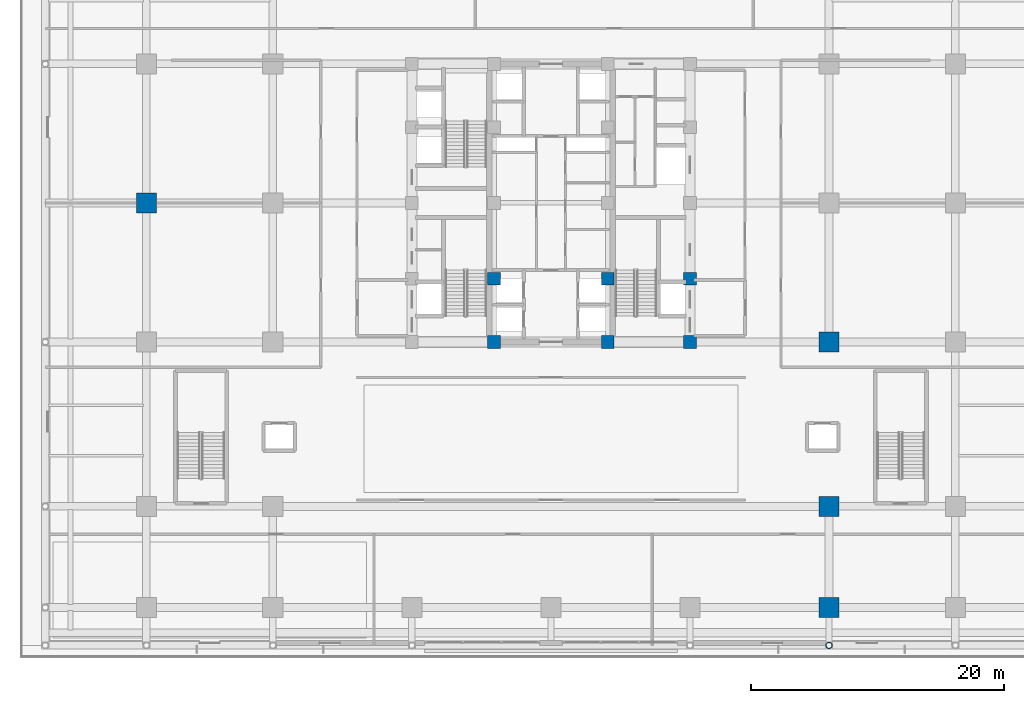
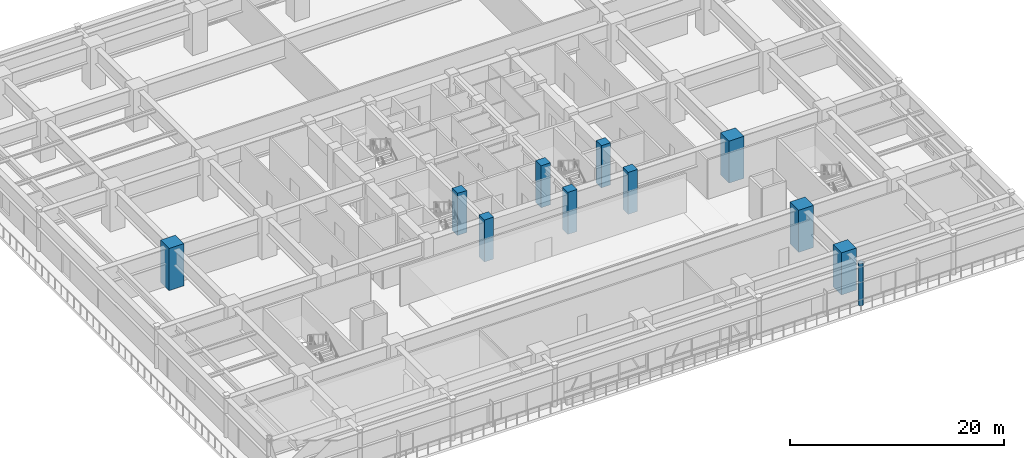
# One storey, part 2 of 38: 11 columns.
"""IFC4 building model written with IfcOpenShell, lengths in metres."""

import ifcopenshell
import ifcopenshell.guid

model = None  # the IFC model being written
_history = None  # IfcOwnerHistory: only IFC2X3 demands one
_inside = {}  # id of a spatial element -> (the spatial element, [elements in it])
_under = {}  # id of a project, library or spatial element -> (it, [spatial elements below it])
_declared = {}  # id of a project -> (the project, [libraries it declares])
_typed = {}  # id of a type object -> (the type object, [elements of that type])
_made_of = {}  # id of a material, layer set ... -> (it, [elements and type objects made of it])


def new_model(schema):
    """Start an empty IFC model of exactly this schema.

    Asked for "IFC4X3", IfcOpenShell would pick the latest addendum, in which some entities
    have other attributes; the version numbers below select the first issue.
    IFC2X3 requires an IfcOwnerHistory on every rooted entity: one is made here for all.
    """
    global model, _history
    if schema == "IFC4X3":
        model = ifcopenshell.file(schema_version=(4, 3, 0, 0))
    else:
        model = ifcopenshell.file(schema=schema)
    _inside.clear()
    _under.clear()
    _declared.clear()
    _typed.clear()
    _made_of.clear()
    _history = None
    if model.schema == "IFC2X3":
        org = make("IfcOrganization", Name="unknown")
        user = make(
            "IfcPersonAndOrganization",
            ThePerson=make("IfcPerson", FamilyName="unknown"),
            TheOrganization=org,
        )
        app = make(
            "IfcApplication",
            ApplicationDeveloper=org,
            Version="unknown",
            ApplicationFullName="unknown",
            ApplicationIdentifier="unknown",
        )
        _history = make(
            "IfcOwnerHistory",
            OwningUser=user,
            OwningApplication=app,
            ChangeAction="ADDED",
            CreationDate=0,
        )
    return model


def make(cls, **values):
    """One entity of the class cls with the attributes given. An attribute that is None is left unset."""
    return model.create_entity(
        cls, **{name: value for name, value in values.items() if value is not None}
    )


def rooted(cls, **values):
    """An entity with a GlobalId (a new one), such as an element, a storey or a relation."""
    return make(cls, GlobalId=ifcopenshell.guid.new(), OwnerHistory=_history, **values)


def si_unit(unit_type, name, prefix=None):
    """IfcSIUnit, for example si_unit("LENGTHUNIT", "METRE", prefix="MILLI")."""
    return make("IfcSIUnit", UnitType=unit_type, Prefix=prefix, Name=name)


def assignment(units):
    """IfcUnitAssignment: the units of a project."""
    return None if units is None else make("IfcUnitAssignment", Units=units)


def point(xyz):
    """IfcCartesianPoint."""
    return None if xyz is None else make("IfcCartesianPoint", Coordinates=xyz)


def direction(xyz):
    """IfcDirection."""
    return None if xyz is None else make("IfcDirection", DirectionRatios=xyz)


def frame(location, z_axis=None, x_axis=None):
    """IfcAxis2Placement3D, a coordinate frame: its origin and axes. An axis left out is left unset."""
    return make(
        "IfcAxis2Placement3D",
        Location=point(location),
        Axis=direction(z_axis),
        RefDirection=direction(x_axis),
    )


def frame_2d(location, x_axis=None):
    """IfcAxis2Placement2D, a coordinate frame in the plane: its origin and x axis."""
    return make(
        "IfcAxis2Placement2D", Location=point(location), RefDirection=direction(x_axis)
    )


def origin():
    """The frame at (0, 0, 0) with its axes left unset."""
    return frame((0.0, 0.0, 0.0))


def origin_2d():
    """The frame at (0, 0) in the plane with its x axis left unset."""
    return frame_2d((0.0, 0.0))


def place(relative_to, where):
    """IfcLocalPlacement: puts the frame where relative to a parent placement (None: the world)."""
    return make(
        "IfcLocalPlacement", PlacementRelTo=relative_to, RelativePlacement=where
    )


def context(
    kind, dimensions, precision=None, world=None, true_north=None, identifier=None
):
    """IfcGeometricRepresentationContext, for example the 3D "Model" context."""
    return make(
        "IfcGeometricRepresentationContext",
        ContextIdentifier=identifier,
        ContextType=kind,
        CoordinateSpaceDimension=dimensions,
        Precision=precision,
        WorldCoordinateSystem=world,
        TrueNorth=true_north,
    )


def subcontext(parent, identifier, kind, view, scale=None):
    """IfcGeometricRepresentationSubContext, for example "Body" below "Model"."""
    return make(
        "IfcGeometricRepresentationSubContext",
        ContextIdentifier=identifier,
        ContextType=kind,
        ParentContext=parent,
        TargetScale=scale,
        TargetView=view,
    )


def project(units=None, contexts=None):
    """IfcProject with its units and contexts."""
    return rooted(
        "IfcProject",
        Name="project",
        RepresentationContexts=contexts,
        UnitsInContext=assignment(units),
    )


def spatial(cls, under=None, at=None, **own):
    """A site, building, storey or space (cls), placed at a placement, below another one or the project."""
    s = rooted(cls, ObjectPlacement=at, **own)
    if under is not None:
        _under.setdefault(under.id(), (under, []))[1].append(s)
    return s


def profile(cls, at=None, kind="AREA", **sizes):
    """A parametric profile (cls). Its sizes go by their IFC names, for example OverallWidth=200.0."""
    return make(cls, ProfileType=kind, Position=at, **sizes)


def rectangle(**sizes):
    """IfcRectangleProfileDef."""
    return profile("IfcRectangleProfileDef", **sizes)


def hollow_circle(**sizes):
    """IfcCircleHollowProfileDef."""
    return profile("IfcCircleHollowProfileDef", **sizes)


def extrude(swept, where, along, depth):
    """IfcExtrudedAreaSolid: the profile swept, set in the frame where, extruded along a direction by depth."""
    return make(
        "IfcExtrudedAreaSolid",
        SweptArea=swept,
        Position=where,
        ExtrudedDirection=direction(along),
        Depth=depth,
    )


def shape(context_of_items, identifier, shape_type, items):
    """IfcShapeRepresentation: the items that make up one representation, for example the "Body"."""
    return make(
        "IfcShapeRepresentation",
        ContextOfItems=context_of_items,
        RepresentationIdentifier=identifier,
        RepresentationType=shape_type,
        Items=items,
    )


def source(mapping_origin, context_of_items, identifier, shape_type, items):
    """IfcRepresentationMap: a shape defined once, which mapped items show again and again."""
    return make(
        "IfcRepresentationMap",
        MappingOrigin=mapping_origin,
        MappedRepresentation=shape(context_of_items, identifier, shape_type, items),
    )


def transform(
    local_origin,
    x_axis=None,
    y_axis=None,
    z_axis=None,
    scale=None,
    scale2=None,
    scale3=None,
    uniform=True,
):
    """IfcCartesianTransformationOperator3D, or its non-uniform kind. x_axis, y_axis, z_axis: its Axis1, 2, 3."""
    if uniform:
        return make(
            "IfcCartesianTransformationOperator3D",
            Axis1=direction(x_axis),
            Axis2=direction(y_axis),
            LocalOrigin=point(local_origin),
            Scale=scale,
            Axis3=direction(z_axis),
        )
    return make(
        "IfcCartesianTransformationOperator3DnonUniform",
        Axis1=direction(x_axis),
        Axis2=direction(y_axis),
        LocalOrigin=point(local_origin),
        Scale=scale,
        Axis3=direction(z_axis),
        Scale2=scale2,
        Scale3=scale3,
    )


def mapped(mapping_source, mapping_target):
    """IfcMappedItem: shows the shape of a source again, moved by a transform."""
    return make(
        "IfcMappedItem", MappingSource=mapping_source, MappingTarget=mapping_target
    )


def material(Name=None, Category=None):
    """IfcMaterial."""
    return make("IfcMaterial", Name=Name, Category=Category)


def material_profile(
    of_material, cross_section, Name=None, Category=None, Priority=None
):
    """IfcMaterialProfile: a cross section and its material."""
    return make(
        "IfcMaterialProfile",
        Name=Name,
        Material=of_material,
        Profile=cross_section,
        Priority=Priority,
        Category=Category,
    )


def profile_set(profiles, Name=None, composite=None):
    """IfcMaterialProfileSet."""
    return make(
        "IfcMaterialProfileSet",
        Name=Name,
        MaterialProfiles=profiles,
        CompositeProfile=composite,
    )


def made_of(thing, what):
    """Note that an element or type object is made of a material, layer set ...; save() writes the relation."""
    if what is not None:
        _made_of.setdefault(what.id(), (what, []))[1].append(thing)
    return thing


def type_object(cls, material=None, **own):
    """A type object (cls), such as IfcWallType, which elements share."""
    return made_of(rooted(cls, **own), material)


def element(
    cls,
    number,
    at=None,
    inside=None,
    cuts=None,
    type_object=None,
    material=None,
    context=None,
    identifier="Body",
    shape_type=None,
    held_by="IfcProductDefinitionShape",
    body=None,
    shapes=None,
    **own,
):
    """One element of the class cls, such as IfcWall. Its Tag is "e" and its number.

    at: its placement. inside: the storey or other place that contains it. cuts: it is an
    opening in that element (IfcRelVoidsElement). A single representation is given by context,
    identifier, shape_type and body (its items); several are given by shapes. held_by: the class
    of the entity that holds the representations. save() writes the other relations.
    """
    e = rooted(cls, Tag="e%d" % number, ObjectPlacement=at, **own)
    if body is not None:
        shapes = [shape(context, identifier, shape_type, body)]
    if shapes is not None:
        e.Representation = make(held_by, Representations=shapes)
    if inside is not None:
        _inside.setdefault(inside.id(), (inside, []))[1].append(e)
    if cuts is not None:
        rooted(
            "IfcRelVoidsElement", RelatingBuildingElement=cuts, RelatedOpeningElement=e
        )
    if type_object is not None:
        _typed.setdefault(type_object.id(), (type_object, []))[1].append(e)
    return made_of(e, material)


def aggregate(whole, parts):
    """IfcRelAggregates: a whole, such as a stair, and the parts it consists of."""
    return rooted("IfcRelAggregates", RelatingObject=whole, RelatedObjects=parts)


def save(model, path):
    """Write the relations noted so far, then the file.

    IfcRelAggregates (storeys below a building ...), IfcRelContainedInSpatialStructure (elements
    in a storey), IfcRelDefinesByType, IfcRelAssociatesMaterial and IfcRelDeclares: one each for
    every whole, place, type object, material and project.
    """
    for whole, parts in _under.values():
        aggregate(whole, parts)
    for where, things in _inside.values():
        rooted(
            "IfcRelContainedInSpatialStructure",
            RelatedElements=things,
            RelatingStructure=where,
        )
    for kind, things in _typed.values():
        rooted("IfcRelDefinesByType", RelatedObjects=things, RelatingType=kind)
    for what, things in _made_of.values():
        rooted("IfcRelAssociatesMaterial", RelatedObjects=things, RelatingMaterial=what)
    for by, libraries in _declared.values():
        rooted("IfcRelDeclares", RelatingContext=by, RelatedDefinitions=libraries)
    model.write(path)


model = new_model("IFC4")

# Units and contexts
model_context = context("Model", 3, precision=1e-05, world=origin(), true_north=direction((0.0, 1.0)))
body_context = subcontext(model_context, "Body", "Model", "MODEL_VIEW")
ifc_project = project(units=[si_unit("LENGTHUNIT", "METRE"), si_unit("AREAUNIT", "SQUARE_METRE"), si_unit("VOLUMEUNIT", "CUBIC_METRE"), si_unit("PLANEANGLEUNIT", "RADIAN"), si_unit("MASSUNIT", "GRAM", prefix="KILO")], contexts=[model_context])

# Site, building, storey
site_placement = place(None, origin())
site = spatial("IfcSite", under=ifc_project, at=site_placement, CompositionType="ELEMENT")
building_placement = place(site_placement, origin())
building = spatial("IfcBuilding", under=site, at=building_placement, Name="Khorayat Bourse Tower", CompositionType="ELEMENT")
storey_placement = place(building_placement, frame((0.0, 0.0, 17.39990234375)))
storey = spatial("IfcBuildingStorey", under=building, at=storey_placement, Name="L03", CompositionType="ELEMENT", Elevation=17.39990234375)

# Columns
ifc_material_1 = material(Name="Concrete C72/90", Category="concrete")
ifc_material_profile_1 = material_profile(ifc_material_1, rectangle(XDim=1.60009765625, YDim=1.60009765625, at=origin_2d()), Name="RC 1600x1600")
ifc_profile_set_1 = profile_set([ifc_material_profile_1], Name="Concrete C72/90")
column_type_1 = type_object("IfcColumnType", Name="COL-MEGA-1600", PredefinedType="COLUMN", material=ifc_profile_set_1)
shared_shape_1 = source(origin(), body_context, "Body", "SweptSolid", [
    extrude(rectangle(XDim=1.60009765625, YDim=1.60009765625, at=origin_2d()), origin(), (0.0, 0.0, 1.0), 4.800048828125),
])
for number, where, z_axis, x_axis, name in (
    (1, (-32.0, 0.0, 0.0), (0.0, 0.0, 1.0), (1.0, 0.0, 0.0), "L03 Column 011"),
    (2, (22.0, -32.0, 0.0), (0.0, 0.0, 1.0), (1.0, 0.0, 0.0), "L03 Column 056"),
    (3, (22.0, -24.0, 0.0), (0.0, 0.0, 1.0), (1.0, 0.0, 0.0), "L03 Column 057"),
    (4, (22.0, -11.0, 0.0), (0.0, 0.0, 1.0), (1.0, 0.0, 0.0), "L03 Column 058"),
):
    element("IfcColumn", number, at=place(storey_placement, frame(where, z_axis=z_axis, x_axis=x_axis)), inside=storey, type_object=column_type_1, Name=name, PredefinedType="COLUMN", context=body_context, shape_type="MappedRepresentation", body=[
        mapped(shared_shape_1, transform((0.0, 0.0, 0.0), scale=1.0)),
    ])
ifc_material_profile_2 = material_profile(ifc_material_1, rectangle(XDim=1.0, YDim=1.0, at=origin_2d()), Name="RC 1000x1000")
ifc_profile_set_2 = profile_set([ifc_material_profile_2], Name="Concrete C72/90")
column_type_2 = type_object("IfcColumnType", Name="COL-CORE-1000", PredefinedType="COLUMN", material=ifc_profile_set_2)
shared_shape_2 = source(origin(), body_context, "Body", "SweptSolid", [
    extrude(rectangle(XDim=1.0, YDim=1.0, at=origin_2d()), origin(), (0.0, 0.0, 1.0), 4.800048828125),
])
for number, where, z_axis, x_axis, name in (
    (5, (-4.5, -11.0, 0.0), (0.0, 0.0, 1.0), (1.0, 0.0, 0.0), "L03 Column 034"),
    (6, (-4.5, -6.0, 0.0), (0.0, 0.0, 1.0), (1.0, 0.0, 0.0), "L03 Column 035"),
    (7, (4.5, -11.0, 0.0), (0.0, 0.0, 1.0), (1.0, 0.0, 0.0), "L03 Column 041"),
    (8, (4.5, -6.0, 0.0), (0.0, 0.0, 1.0), (1.0, 0.0, 0.0), "L03 Column 042"),
    (9, (11.0, -11.0, 0.0), (0.0, 0.0, 1.0), (1.0, 0.0, 0.0), "L03 Column 048"),
    (10, (11.0, -6.0, 0.0), (0.0, 0.0, 1.0), (1.0, 0.0, 0.0), "L03 Column 049"),
):
    element("IfcColumn", number, at=place(storey_placement, frame(where, z_axis=z_axis, x_axis=x_axis)), inside=storey, type_object=column_type_2, Name=name, PredefinedType="COLUMN", context=body_context, shape_type="MappedRepresentation", body=[
        mapped(shared_shape_2, transform((0.0, 0.0, 0.0), scale=1.0)),
    ])
ifc_material_2 = material(Name="Steel EN 10025-2 S355J2", Category="steel")
ifc_material_profile_3 = material_profile(ifc_material_2, hollow_circle(Radius=0.25390625, WallThickness=0.02490234375, at=origin_2d()), Name="CHS 508x25")
ifc_profile_set_3 = profile_set([ifc_material_profile_3], Name="Steel EN 10025-2 S355J2")
column_type_3 = type_object("IfcColumnType", Name="COL-POD-CHS508", PredefinedType="COLUMN", material=ifc_profile_set_3)
shared_shape_3 = source(origin(), body_context, "Body", "SweptSolid", [
    extrude(hollow_circle(Radius=0.25390625, WallThickness=0.02490234375, at=origin_2d()), origin(), (0.0, 0.0, 1.0), 4.800048828125),
])
column_placement = place(storey_placement, frame((22.0, -35.0, 0.0), z_axis=(0.0, 0.0, 1.0), x_axis=(1.0, 0.0, 0.0)))
element("IfcColumn", 11, at=column_placement, inside=storey, type_object=column_type_3, Name="L03 Column 055", PredefinedType="COLUMN", context=body_context, shape_type="MappedRepresentation", body=[
    mapped(shared_shape_3, transform((0.0, 0.0, 0.0), scale=1.0)),
])

save(model, "model.ifc")
